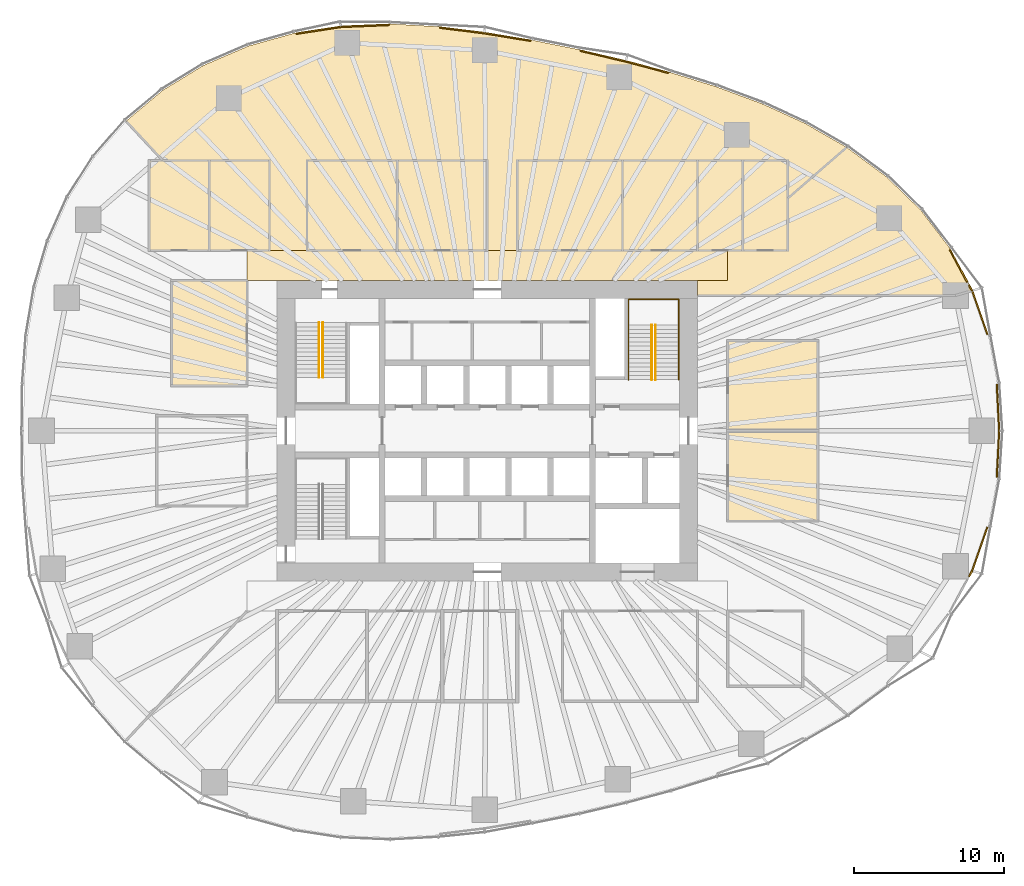
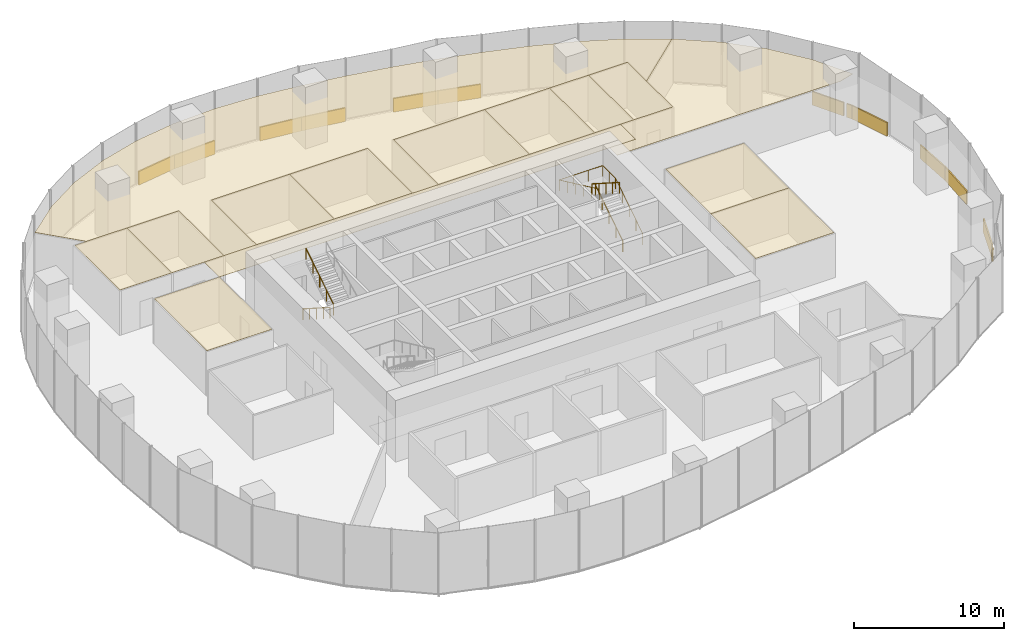
# One storey, part 19 of 19: 27 coverings, 5 railings.
"""IFC4 building model written with IfcOpenShell, lengths in metres."""

import ifcopenshell
import ifcopenshell.guid

model = None  # the IFC model being written
_history = None  # IfcOwnerHistory: only IFC2X3 demands one
_inside = {}  # id of a spatial element -> (the spatial element, [elements in it])
_under = {}  # id of a project, library or spatial element -> (it, [spatial elements below it])
_declared = {}  # id of a project -> (the project, [libraries it declares])
_typed = {}  # id of a type object -> (the type object, [elements of that type])
_made_of = {}  # id of a material, layer set ... -> (it, [elements and type objects made of it])


def new_model(schema):
    """Start an empty IFC model of exactly this schema.

    Asked for "IFC4X3", IfcOpenShell would pick the latest addendum, in which some entities
    have other attributes; the version numbers below select the first issue.
    IFC2X3 requires an IfcOwnerHistory on every rooted entity: one is made here for all.
    """
    global model, _history
    if schema == "IFC4X3":
        model = ifcopenshell.file(schema_version=(4, 3, 0, 0))
    else:
        model = ifcopenshell.file(schema=schema)
    _inside.clear()
    _under.clear()
    _declared.clear()
    _typed.clear()
    _made_of.clear()
    _history = None
    if model.schema == "IFC2X3":
        org = make("IfcOrganization", Name="unknown")
        user = make(
            "IfcPersonAndOrganization",
            ThePerson=make("IfcPerson", FamilyName="unknown"),
            TheOrganization=org,
        )
        app = make(
            "IfcApplication",
            ApplicationDeveloper=org,
            Version="unknown",
            ApplicationFullName="unknown",
            ApplicationIdentifier="unknown",
        )
        _history = make(
            "IfcOwnerHistory",
            OwningUser=user,
            OwningApplication=app,
            ChangeAction="ADDED",
            CreationDate=0,
        )
    return model


def make(cls, **values):
    """One entity of the class cls with the attributes given. An attribute that is None is left unset."""
    return model.create_entity(
        cls, **{name: value for name, value in values.items() if value is not None}
    )


def rooted(cls, **values):
    """An entity with a GlobalId (a new one), such as an element, a storey or a relation."""
    return make(cls, GlobalId=ifcopenshell.guid.new(), OwnerHistory=_history, **values)


def si_unit(unit_type, name, prefix=None):
    """IfcSIUnit, for example si_unit("LENGTHUNIT", "METRE", prefix="MILLI")."""
    return make("IfcSIUnit", UnitType=unit_type, Prefix=prefix, Name=name)


def assignment(units):
    """IfcUnitAssignment: the units of a project."""
    return None if units is None else make("IfcUnitAssignment", Units=units)


def point(xyz):
    """IfcCartesianPoint."""
    return None if xyz is None else make("IfcCartesianPoint", Coordinates=xyz)


def direction(xyz):
    """IfcDirection."""
    return None if xyz is None else make("IfcDirection", DirectionRatios=xyz)


def frame(location, z_axis=None, x_axis=None):
    """IfcAxis2Placement3D, a coordinate frame: its origin and axes. An axis left out is left unset."""
    return make(
        "IfcAxis2Placement3D",
        Location=point(location),
        Axis=direction(z_axis),
        RefDirection=direction(x_axis),
    )


def frame_2d(location, x_axis=None):
    """IfcAxis2Placement2D, a coordinate frame in the plane: its origin and x axis."""
    return make(
        "IfcAxis2Placement2D", Location=point(location), RefDirection=direction(x_axis)
    )


def origin():
    """The frame at (0, 0, 0) with its axes left unset."""
    return frame((0.0, 0.0, 0.0))


def origin_2d():
    """The frame at (0, 0) in the plane with its x axis left unset."""
    return frame_2d((0.0, 0.0))


def place(relative_to, where):
    """IfcLocalPlacement: puts the frame where relative to a parent placement (None: the world)."""
    return make(
        "IfcLocalPlacement", PlacementRelTo=relative_to, RelativePlacement=where
    )


def context(
    kind, dimensions, precision=None, world=None, true_north=None, identifier=None
):
    """IfcGeometricRepresentationContext, for example the 3D "Model" context."""
    return make(
        "IfcGeometricRepresentationContext",
        ContextIdentifier=identifier,
        ContextType=kind,
        CoordinateSpaceDimension=dimensions,
        Precision=precision,
        WorldCoordinateSystem=world,
        TrueNorth=true_north,
    )


def subcontext(parent, identifier, kind, view, scale=None):
    """IfcGeometricRepresentationSubContext, for example "Body" below "Model"."""
    return make(
        "IfcGeometricRepresentationSubContext",
        ContextIdentifier=identifier,
        ContextType=kind,
        ParentContext=parent,
        TargetScale=scale,
        TargetView=view,
    )


def project(units=None, contexts=None):
    """IfcProject with its units and contexts."""
    return rooted(
        "IfcProject",
        Name="project",
        RepresentationContexts=contexts,
        UnitsInContext=assignment(units),
    )


def spatial(cls, under=None, at=None, **own):
    """A site, building, storey or space (cls), placed at a placement, below another one or the project."""
    s = rooted(cls, ObjectPlacement=at, **own)
    if under is not None:
        _under.setdefault(under.id(), (under, []))[1].append(s)
    return s


def polyline(points):
    """IfcPolyline through the points."""
    return make("IfcPolyline", Points=[point(p) for p in points])


def profile(cls, at=None, kind="AREA", **sizes):
    """A parametric profile (cls). Its sizes go by their IFC names, for example OverallWidth=200.0."""
    return make(cls, ProfileType=kind, Position=at, **sizes)


def rectangle(**sizes):
    """IfcRectangleProfileDef."""
    return profile("IfcRectangleProfileDef", **sizes)


def circle(**sizes):
    """IfcCircleProfileDef."""
    return profile("IfcCircleProfileDef", **sizes)


def outline(outer, holes=None, kind="AREA"):
    """IfcArbitraryClosedProfileDef: a profile drawn as a closed curve; with holes, ...WithVoids."""
    if holes is None:
        return make("IfcArbitraryClosedProfileDef", ProfileType=kind, OuterCurve=outer)
    return make(
        "IfcArbitraryProfileDefWithVoids",
        ProfileType=kind,
        OuterCurve=outer,
        InnerCurves=holes,
    )


def extrude(swept, where, along, depth):
    """IfcExtrudedAreaSolid: the profile swept, set in the frame where, extruded along a direction by depth."""
    return make(
        "IfcExtrudedAreaSolid",
        SweptArea=swept,
        Position=where,
        ExtrudedDirection=direction(along),
        Depth=depth,
    )


def shape(context_of_items, identifier, shape_type, items):
    """IfcShapeRepresentation: the items that make up one representation, for example the "Body"."""
    return make(
        "IfcShapeRepresentation",
        ContextOfItems=context_of_items,
        RepresentationIdentifier=identifier,
        RepresentationType=shape_type,
        Items=items,
    )


def material(Name=None, Category=None):
    """IfcMaterial."""
    return make("IfcMaterial", Name=Name, Category=Category)


def layer(
    of_material, thickness, ventilated=None, Name=None, Category=None, Priority=None
):
    """IfcMaterialLayer: one layer of a wall or slab, of a material (None: an air gap)."""
    return make(
        "IfcMaterialLayer",
        Material=of_material,
        LayerThickness=thickness,
        IsVentilated=ventilated,
        Name=Name,
        Category=Category,
        Priority=Priority,
    )


def layer_set(layers, Name=None):
    """IfcMaterialLayerSet."""
    return make("IfcMaterialLayerSet", MaterialLayers=layers, LayerSetName=Name)


def made_of(thing, what):
    """Note that an element or type object is made of a material, layer set ...; save() writes the relation."""
    if what is not None:
        _made_of.setdefault(what.id(), (what, []))[1].append(thing)
    return thing


def type_object(cls, material=None, **own):
    """A type object (cls), such as IfcWallType, which elements share."""
    return made_of(rooted(cls, **own), material)


def element(
    cls,
    number,
    at=None,
    inside=None,
    cuts=None,
    type_object=None,
    material=None,
    context=None,
    identifier="Body",
    shape_type=None,
    held_by="IfcProductDefinitionShape",
    body=None,
    shapes=None,
    **own,
):
    """One element of the class cls, such as IfcWall. Its Tag is "e" and its number.

    at: its placement. inside: the storey or other place that contains it. cuts: it is an
    opening in that element (IfcRelVoidsElement). A single representation is given by context,
    identifier, shape_type and body (its items); several are given by shapes. held_by: the class
    of the entity that holds the representations. save() writes the other relations.
    """
    e = rooted(cls, Tag="e%d" % number, ObjectPlacement=at, **own)
    if body is not None:
        shapes = [shape(context, identifier, shape_type, body)]
    if shapes is not None:
        e.Representation = make(held_by, Representations=shapes)
    if inside is not None:
        _inside.setdefault(inside.id(), (inside, []))[1].append(e)
    if cuts is not None:
        rooted(
            "IfcRelVoidsElement", RelatingBuildingElement=cuts, RelatedOpeningElement=e
        )
    if type_object is not None:
        _typed.setdefault(type_object.id(), (type_object, []))[1].append(e)
    return made_of(e, material)


def aggregate(whole, parts):
    """IfcRelAggregates: a whole, such as a stair, and the parts it consists of."""
    return rooted("IfcRelAggregates", RelatingObject=whole, RelatedObjects=parts)


def save(model, path):
    """Write the relations noted so far, then the file.

    IfcRelAggregates (storeys below a building ...), IfcRelContainedInSpatialStructure (elements
    in a storey), IfcRelDefinesByType, IfcRelAssociatesMaterial and IfcRelDeclares: one each for
    every whole, place, type object, material and project.
    """
    for whole, parts in _under.values():
        aggregate(whole, parts)
    for where, things in _inside.values():
        rooted(
            "IfcRelContainedInSpatialStructure",
            RelatedElements=things,
            RelatingStructure=where,
        )
    for kind, things in _typed.values():
        rooted("IfcRelDefinesByType", RelatedObjects=things, RelatingType=kind)
    for what, things in _made_of.values():
        rooted("IfcRelAssociatesMaterial", RelatedObjects=things, RelatingMaterial=what)
    for by, libraries in _declared.values():
        rooted("IfcRelDeclares", RelatingContext=by, RelatedDefinitions=libraries)
    model.write(path)


model = new_model("IFC4")

# Units and contexts
model_context = context("Model", 3, precision=1e-05, world=origin(), true_north=direction((0.0, 1.0)))
body_context = subcontext(model_context, "Body", "Model", "MODEL_VIEW")
ifc_project = project(units=[si_unit("LENGTHUNIT", "METRE"), si_unit("AREAUNIT", "SQUARE_METRE"), si_unit("VOLUMEUNIT", "CUBIC_METRE"), si_unit("PLANEANGLEUNIT", "RADIAN"), si_unit("MASSUNIT", "GRAM", prefix="KILO")], contexts=[model_context])

# Site, building, storey
site_placement = place(None, origin())
site = spatial("IfcSite", under=ifc_project, at=site_placement, CompositionType="ELEMENT")
building_placement = place(site_placement, origin())
building = spatial("IfcBuilding", under=site, at=building_placement, Name="Ghaith Harvest Tower", CompositionType="ELEMENT")
storey_placement = place(building_placement, frame((0.0, 0.0, 75.0)))
storey = spatial("IfcBuildingStorey", under=building, at=storey_placement, Name="L15", CompositionType="ELEMENT", Elevation=75.0)

# Coverings
ifc_material_1 = material(Name="Mineral fibre ceiling tile", Category="gypsum")
ifc_layer_1 = layer(ifc_material_1, 0.02490234375)
ifc_layer_set_1 = layer_set([ifc_layer_1], Name="CEILING C2")
covering_type_1 = type_object("IfcCoveringType", Name="CEILING C2", PredefinedType="CEILING", material=ifc_layer_set_1)
covering_1_placement = place(storey_placement, frame((0.0, 0.0, 3.60009765625)))
element("IfcCovering", 1, at=covering_1_placement, inside=storey, type_object=covering_type_1, Name="Ceiling L15-01", PredefinedType="CEILING", context=body_context, shape_type="SweptSolid", body=[
    extrude(outline(polyline([(-12.0, 12.0), (-6.0, 12.0), (-6.0, 18.0), (-12.0, 18.0), (-12.0, 12.0)])), origin(), (0.0, 0.0, 1.0), 0.02490234375),
])
covering_2_placement = place(storey_placement, frame((0.0, 0.0, 3.60009765625)))
element("IfcCovering", 2, at=covering_2_placement, inside=storey, type_object=covering_type_1, Name="Ceiling L15-02", PredefinedType="CEILING", context=body_context, shape_type="SweptSolid", body=[
    extrude(outline(polyline([(-6.0, 12.0), (0.0, 12.0), (0.0, 18.0), (-6.0, 18.0), (-6.0, 12.0)])), origin(), (0.0, 0.0, 1.0), 0.02490234375),
])
covering_3_placement = place(storey_placement, frame((0.0, 0.0, 3.60009765625)))
element("IfcCovering", 3, at=covering_3_placement, inside=storey, type_object=covering_type_1, Name="Ceiling L15-08", PredefinedType="CEILING", context=body_context, shape_type="SweptSolid", body=[
    extrude(outline(polyline([(16.0, -6.0), (22.0, -6.0), (22.0, 0.0), (16.0, 0.0), (16.0, -6.0)])), origin(), (0.0, 0.0, 1.0), 0.02490234375),
])
covering_4_placement = place(storey_placement, frame((0.0, 0.0, 3.60009765625)))
element("IfcCovering", 4, at=covering_4_placement, inside=storey, type_object=covering_type_1, Name="Ceiling L15-09", PredefinedType="CEILING", context=body_context, shape_type="SweptSolid", body=[
    extrude(outline(polyline([(16.0, 0.0), (22.0, 0.0), (22.0, 6.0), (16.0, 6.0), (16.0, 0.0)])), origin(), (0.0, 0.0, 1.0), 0.02490234375),
])
covering_5_placement = place(storey_placement, frame((0.0, 0.0, 3.60009765625)))
element("IfcCovering", 5, at=covering_5_placement, inside=storey, type_object=covering_type_1, Name="Ceiling L15-10", PredefinedType="CEILING", context=body_context, shape_type="SweptSolid", body=[
    extrude(outline(polyline([(2.0, 12.0), (9.0, 12.0), (9.0, 18.0), (2.0, 18.0), (2.0, 12.0)])), origin(), (0.0, 0.0, 1.0), 0.02490234375),
])
covering_6_placement = place(storey_placement, frame((0.0, 0.0, 3.60009765625)))
element("IfcCovering", 6, at=covering_6_placement, inside=storey, type_object=covering_type_1, Name="Ceiling L15-11", PredefinedType="CEILING", context=body_context, shape_type="SweptSolid", body=[
    extrude(outline(polyline([(9.0, 12.0), (14.0, 12.0), (14.0, 18.0), (9.0, 18.0), (9.0, 12.0)])), origin(), (0.0, 0.0, 1.0), 0.02490234375),
])
covering_7_placement = place(storey_placement, frame((0.0, 0.0, 3.60009765625)))
element("IfcCovering", 7, at=covering_7_placement, inside=storey, type_object=covering_type_1, Name="Ceiling L15-12", PredefinedType="CEILING", context=body_context, shape_type="SweptSolid", body=[
    extrude(outline(polyline([(14.0, 12.0), (17.0, 12.0), (17.0, 18.0), (14.0, 18.0), (14.0, 12.0)])), origin(), (0.0, 0.0, 1.0), 0.02490234375),
])
covering_8_placement = place(storey_placement, frame((0.0, 0.0, 3.60009765625)))
element("IfcCovering", 8, at=covering_8_placement, inside=storey, type_object=covering_type_1, Name="Ceiling L15-13", PredefinedType="CEILING", context=body_context, shape_type="SweptSolid", body=[
    extrude(outline(polyline([(17.0, 12.0), (20.0, 12.0), (20.0, 18.0), (17.0, 18.0), (17.0, 12.0)])), origin(), (0.0, 0.0, 1.0), 0.02490234375),
])
covering_9_placement = place(storey_placement, frame((0.0, 0.0, 3.60009765625)))
element("IfcCovering", 9, at=covering_9_placement, inside=storey, type_object=covering_type_1, Name="Ceiling L15-14", PredefinedType="CEILING", context=body_context, shape_type="SweptSolid", body=[
    extrude(outline(polyline([(-22.5, 12.0), (-18.5, 12.0), (-18.5, 18.0), (-22.5, 18.0), (-22.5, 12.0)])), origin(), (0.0, 0.0, 1.0), 0.02490234375),
])
covering_10_placement = place(storey_placement, frame((0.0, 0.0, 3.60009765625)))
element("IfcCovering", 10, at=covering_10_placement, inside=storey, type_object=covering_type_1, Name="Ceiling L15-15", PredefinedType="CEILING", context=body_context, shape_type="SweptSolid", body=[
    extrude(outline(polyline([(-18.5, 12.0), (-14.5, 12.0), (-14.5, 18.0), (-18.5, 18.0), (-18.5, 12.0)])), origin(), (0.0, 0.0, 1.0), 0.02490234375),
])
covering_11_placement = place(storey_placement, frame((0.0, 0.0, 3.60009765625)))
element("IfcCovering", 11, at=covering_11_placement, inside=storey, type_object=covering_type_1, Name="Ceiling L15-17", PredefinedType="CEILING", context=body_context, shape_type="SweptSolid", body=[
    extrude(outline(polyline([(-21.0, 3.0), (-16.0, 3.0), (-16.0, 10.0), (-21.0, 10.0), (-21.0, 3.0)])), origin(), (0.0, 0.0, 1.0), 0.02490234375),
])
covering_12_placement = place(storey_placement, frame((0.0, 0.0, 3.60009765625)))
element("IfcCovering", 12, at=covering_12_placement, inside=storey, type_object=covering_type_1, Name="Ceiling L15-C1", PredefinedType="CEILING", context=body_context, shape_type="SweptSolid", body=[
    extrude(outline(polyline([(16.0, 10.0), (-16.0, 10.0), (-16.0, 12.0), (16.0, 12.0), (16.0, 10.0)])), origin(), (0.0, 0.0, 1.0), 0.02490234375),
])
covering_13_placement = place(storey_placement, frame((0.0, 0.0, 3.60009765625)))
element("IfcCovering", 13, at=covering_13_placement, inside=storey, type_object=covering_type_1, Name="Ceiling L15-N1", PredefinedType="CEILING", context=body_context, shape_type="SweptSolid", body=[
    extrude(outline(polyline([(-21.59912109375, 22.671142578125), (-18.8935546875, 24.32763671875), (-15.907958984375, 25.614501953125), (-12.828125, 26.476806640625), (-9.733642578125, 26.949951171875), (-6.4375, 27.0849609375), (-3.24755859375, 26.91064453125), (-0.181396484375, 26.527099609375), (2.99560546875, 26.004150390625), (6.10888671875, 25.378662109375), (9.21533203125, 24.65087890625), (12.1796875, 23.857666015625), (15.22119140625, 22.916259765625), (18.34521484375, 21.7548828125), (21.149169921875, 20.469482421875), (23.92431640625, 18.873046875), (20.0, 15.469482421875), (20.0, 18.0), (2.0, 18.0), (2.0, 12.0), (0.0, 12.0), (0.0, 18.0), (-12.0, 18.0), (-12.0, 12.0), (-14.5, 12.0), (-14.5, 18.0), (-21.60302734375, 18.0), (-24.04833984375, 20.618408203125), (-21.59912109375, 22.671142578125)])), origin(), (0.0, 0.0, 1.0), 0.02490234375),
])
covering_14_placement = place(storey_placement, frame((0.0, 0.0, 3.60009765625)))
element("IfcCovering", 14, at=covering_14_placement, inside=storey, type_object=covering_type_1, Name="Ceiling L15-E1", PredefinedType="CEILING", context=body_context, shape_type="SweptSolid", body=[
    extrude(outline(polyline([(26.572509765625, 16.9111328125), (28.840087890625, 14.708984375), (30.78515625, 12.1708984375), (32.318359375, 9.3408203125), (32.318359375, 9.3408203125), (31.166015625, 9.008056640625), (14.0, 9.008056640625), (14.0, 10.0), (16.0, 10.0), (16.0, 12.0), (20.0, 12.0), (20.0, 15.469482421875), (23.92431640625, 18.873046875), (26.572509765625, 16.9111328125)])), origin(), (0.0, 0.0, 1.0), 0.02490234375),
])

# Railings
ifc_material_2 = material(Name="Steel, black powder-coated", Category="steel")
railing_type = type_object("IfcRailingType", Name="HANDRAIL HR1", PredefinedType="HANDRAIL", material=ifc_material_2)
railing_1_placement = place(storey_placement, frame((-11.199951171875, 7.199951171875, 0.178466796875)))
element("IfcRailing", 15, at=railing_1_placement, inside=storey, type_object=railing_type, Name="Handrail HR1 stair ST1 L15 flight 1 inner", PredefinedType="HANDRAIL", context=body_context, shape_type="SweptSolid", body=[
    extrude(circle(Radius=0.02392578125, at=origin_2d()), frame((0.0, 0.0, 0.8759765625), z_axis=(0.0, -0.843111507901, 0.53773877045), x_axis=(1.0, 0.0, 0.0)), (0.0, 0.0, 1.0), 4.317138671875),
    extrude(circle(Radius=0.02099609375, at=origin_2d()), origin(), (0.0, 0.0, 1.0), 0.851806640625),
    extrude(circle(Radius=0.02099609375, at=origin_2d()), frame((0.0, -0.909912109375, 0.580322265625)), (0.0, 0.0, 1.0), 0.851806640625),
    extrude(circle(Radius=0.02099609375, at=origin_2d()), frame((0.0, -1.81982421875, 1.16064453125)), (0.0, 0.0, 1.0), 0.851806640625),
    extrude(circle(Radius=0.02099609375, at=origin_2d()), frame((0.0, -2.72998046875, 1.7412109375)), (0.0, 0.0, 1.0), 0.851806640625),
    extrude(circle(Radius=0.02099609375, at=origin_2d()), frame((0.0, -3.639892578125, 2.321533203125)), (0.0, 0.0, 1.0), 0.851806640625),
])
railing_2_placement = place(storey_placement, frame((-10.949951171875, 3.56005859375, 2.678466796875)))
element("IfcRailing", 16, at=railing_2_placement, inside=storey, type_object=railing_type, Name="Handrail HR1 stair ST1 L15 flight 2 inner", PredefinedType="HANDRAIL", context=body_context, shape_type="SweptSolid", body=[
    extrude(circle(Radius=0.02392578125, at=origin_2d()), frame((0.0, 0.0, 0.8759765625), z_axis=(0.0, 0.843111507901, 0.53773877045), x_axis=(-1.0, 0.0, 0.0)), (0.0, 0.0, 1.0), 4.317138671875),
    extrude(circle(Radius=0.02099609375, at=origin_2d()), origin(), (0.0, 0.0, 1.0), 0.851806640625),
    extrude(circle(Radius=0.02099609375, at=origin_2d()), frame((0.0, 0.909912109375, 0.580322265625)), (0.0, 0.0, 1.0), 0.851806640625),
    extrude(circle(Radius=0.02099609375, at=origin_2d()), frame((0.0, 1.81982421875, 1.16064453125)), (0.0, 0.0, 1.0), 0.851806640625),
    extrude(circle(Radius=0.02099609375, at=origin_2d()), frame((0.0, 2.72998046875, 1.7412109375)), (0.0, 0.0, 1.0), 0.851806640625),
    extrude(circle(Radius=0.02099609375, at=origin_2d()), frame((0.0, 3.639892578125, 2.321533203125)), (0.0, 0.0, 1.0), 0.851806640625),
])
railing_3_placement = place(storey_placement, frame((11.199951171875, 3.39990234375, 0.178466796875)))
element("IfcRailing", 17, at=railing_3_placement, inside=storey, type_object=railing_type, Name="Handrail HR1 stair ST2 L15 flight 1 inner", PredefinedType="HANDRAIL", context=body_context, shape_type="SweptSolid", body=[
    extrude(circle(Radius=0.02392578125, at=origin_2d()), frame((0.0, 0.0, 0.8759765625), z_axis=(0.0, 0.843127859045, 0.537713132908), x_axis=(-1.0, 0.0, 0.0)), (0.0, 0.0, 1.0), 4.3173828125),
    extrude(circle(Radius=0.02099609375, at=origin_2d()), origin(), (0.0, 0.0, 1.0), 0.851806640625),
    extrude(circle(Radius=0.02099609375, at=origin_2d()), frame((0.0, 0.91015625, 0.580322265625)), (0.0, 0.0, 1.0), 0.851806640625),
    extrude(circle(Radius=0.02099609375, at=origin_2d()), frame((0.0, 1.820068359375, 1.16064453125)), (0.0, 0.0, 1.0), 0.851806640625),
    extrude(circle(Radius=0.02099609375, at=origin_2d()), frame((0.0, 2.72998046875, 1.7412109375)), (0.0, 0.0, 1.0), 0.851806640625),
    extrude(circle(Radius=0.02099609375, at=origin_2d()), frame((0.0, 3.64013671875, 2.321533203125)), (0.0, 0.0, 1.0), 0.851806640625),
])
railing_4_placement = place(storey_placement, frame((10.949951171875, 7.0400390625, 2.678466796875)))
element("IfcRailing", 18, at=railing_4_placement, inside=storey, type_object=railing_type, Name="Handrail HR1 stair ST2 L15 flight 2 inner", PredefinedType="HANDRAIL", context=body_context, shape_type="SweptSolid", body=[
    extrude(circle(Radius=0.02392578125, at=origin_2d()), frame((0.0, 0.0, 0.8759765625), z_axis=(0.0, -0.843127859045, 0.537713132908), x_axis=(1.0, 0.0, 0.0)), (0.0, 0.0, 1.0), 4.3173828125),
    extrude(circle(Radius=0.02099609375, at=origin_2d()), origin(), (0.0, 0.0, 1.0), 0.851806640625),
    extrude(circle(Radius=0.02099609375, at=origin_2d()), frame((0.0, -0.91015625, 0.580322265625)), (0.0, 0.0, 1.0), 0.851806640625),
    extrude(circle(Radius=0.02099609375, at=origin_2d()), frame((0.0, -1.820068359375, 1.16064453125)), (0.0, 0.0, 1.0), 0.851806640625),
    extrude(circle(Radius=0.02099609375, at=origin_2d()), frame((0.0, -2.72998046875, 1.7412109375)), (0.0, 0.0, 1.0), 0.851806640625),
    extrude(circle(Radius=0.02099609375, at=origin_2d()), frame((0.0, -3.64013671875, 2.321533203125)), (0.0, 0.0, 1.0), 0.851806640625),
])
railing_5_placement = place(storey_placement, frame((12.75, 3.39990234375, 0.178466796875)))
element("IfcRailing", 19, at=railing_5_placement, inside=storey, type_object=railing_type, Name="Handrail HR1 stair ST2 L15 wall side", PredefinedType="HANDRAIL", context=body_context, shape_type="SweptSolid", body=[
    extrude(circle(Radius=0.02392578125, at=origin_2d()), frame((0.0, 0.0, 0.8759765625), z_axis=(0.0, 0.843127859045, 0.537713132908), x_axis=(-1.0, 0.0, 0.0)), (0.0, 0.0, 1.0), 4.3173828125),
    extrude(circle(Radius=0.02392578125, at=origin_2d()), frame((0.0, 3.64013671875, 3.197265625), z_axis=(0.0, 1.0, 0.0), x_axis=(-1.0, 0.0, 0.0)), (0.0, 0.0, 1.0), 1.7099609375),
    extrude(circle(Radius=0.02392578125, at=origin_2d()), frame((0.0, 5.35009765625, 3.197265625), z_axis=(-1.0, 0.0, 0.0), x_axis=(0.0, -1.0, 0.0)), (0.0, 0.0, 1.0), 3.35009765625),
    extrude(circle(Radius=0.02392578125, at=origin_2d()), frame((-3.35009765625, 5.35009765625, 3.197265625), z_axis=(0.0, -0.905969675553, 0.423342588193), x_axis=(1.0, 0.0, 0.0)), (0.0, 0.0, 1.0), 5.9052734375),
    extrude(circle(Radius=0.02099609375, at=origin_2d()), origin(), (0.0, 0.0, 1.0), 0.851806640625),
    extrude(circle(Radius=0.02099609375, at=origin_2d()), frame((0.0, 0.91015625, 0.580322265625)), (0.0, 0.0, 1.0), 0.851806640625),
    extrude(circle(Radius=0.02099609375, at=origin_2d()), frame((0.0, 1.820068359375, 1.16064453125)), (0.0, 0.0, 1.0), 0.851806640625),
    extrude(circle(Radius=0.02099609375, at=origin_2d()), frame((0.0, 2.72998046875, 1.7412109375)), (0.0, 0.0, 1.0), 0.851806640625),
    extrude(circle(Radius=0.02099609375, at=origin_2d()), frame((0.0, 3.64013671875, 2.321533203125)), (0.0, 0.0, 1.0), 0.851806640625),
    extrude(circle(Radius=0.02099609375, at=origin_2d()), frame((0.0, 4.4951171875, 2.321533203125)), (0.0, 0.0, 1.0), 0.851806640625),
    extrude(circle(Radius=0.02099609375, at=origin_2d()), frame((0.0, 5.35009765625, 2.321533203125)), (0.0, 0.0, 1.0), 0.851806640625),
    extrude(circle(Radius=0.02099609375, at=origin_2d()), frame((-1.11669921875, 5.35009765625, 2.321533203125)), (0.0, 0.0, 1.0), 0.851806640625),
    extrude(circle(Radius=0.02099609375, at=origin_2d()), frame((-2.2333984375, 5.35009765625, 2.321533203125)), (0.0, 0.0, 1.0), 0.851806640625),
    extrude(circle(Radius=0.02099609375, at=origin_2d()), frame((-3.35009765625, 5.35009765625, 2.321533203125)), (0.0, 0.0, 1.0), 0.851806640625),
    extrude(circle(Radius=0.02099609375, at=origin_2d()), frame((-3.35009765625, 4.280029296875, 2.821533203125)), (0.0, 0.0, 1.0), 0.851806640625),
    extrude(circle(Radius=0.02099609375, at=origin_2d()), frame((-3.35009765625, 3.2099609375, 3.321533203125)), (0.0, 0.0, 1.0), 0.851806640625),
    extrude(circle(Radius=0.02099609375, at=origin_2d()), frame((-3.35009765625, 2.14013671875, 3.821533203125)), (0.0, 0.0, 1.0), 0.851806640625),
    extrude(circle(Radius=0.02099609375, at=origin_2d()), frame((-3.35009765625, 1.070068359375, 4.321533203125)), (0.0, 0.0, 1.0), 0.851806640625),
    extrude(circle(Radius=0.02099609375, at=origin_2d()), frame((-3.35009765625, 0.0, 4.821533203125)), (0.0, 0.0, 1.0), 0.851806640625),
])

# Coverings
ifc_material_3 = material(Name="Insulated aluminium spandrel panel on steel framing", Category="steel")
ifc_layer_2 = layer(ifc_material_3, 0.10009765625)
ifc_layer_set_2 = layer_set([ifc_layer_2], Name="SLAB EDGE UPSTAND 1100x100")
covering_type_2 = type_object("IfcCoveringType", Name="SLAB EDGE UPSTAND 1100x100", PredefinedType="CLADDING", material=ifc_layer_set_2)
covering_15_placement = place(storey_placement, frame((33.994384765625, 1.54443359375, 0.0), z_axis=(0.0, 0.0, 1.0), x_axis=(-0.052048501689, 0.998644558125, 0.0)))
element("IfcCovering", 20, at=covering_15_placement, inside=storey, type_object=covering_type_2, Name="Slab edge upstand 1 bay 01 L15", PredefinedType="CLADDING", context=body_context, shape_type="SweptSolid", body=[
    extrude(rectangle(XDim=3.098388671875, YDim=0.10009765625, at=origin_2d()), origin(), (0.0, 0.0, 1.0), 1.10009765625),
])
covering_16_placement = place(storey_placement, frame((32.78125, 7.867919921875, 0.0), z_axis=(0.0, 0.0, 1.0), x_axis=(-0.330597697022, 0.943771774702, 0.0)))
element("IfcCovering", 21, at=covering_16_placement, inside=storey, type_object=covering_type_2, Name="Slab edge upstand 3 bay 01 L15", PredefinedType="CLADDING", context=body_context, shape_type="SweptSolid", body=[
    extrude(rectangle(XDim=3.0859375, YDim=0.10009765625, at=origin_2d()), origin(), (0.0, 0.0, 1.0), 1.10009765625),
])
covering_17_placement = place(storey_placement, frame((32.172119140625, 9.505615234375, 0.0), z_axis=(0.0, 0.0, 1.0), x_axis=(-0.476349292539, 0.87925613532, 0.0)))
element("IfcCovering", 22, at=covering_17_placement, inside=storey, type_object=covering_type_2, Name="Slab edge upstand 1 bay 02 L15", PredefinedType="CLADDING", context=body_context, shape_type="SweptSolid", body=[
    extrude(rectangle(XDim=0.42919921875, YDim=0.10009765625, at=origin_2d()), origin(), (0.0, 0.0, 1.0), 1.10009765625),
])
covering_18_placement = place(storey_placement, frame((31.3759765625, 10.9755859375, 0.0), z_axis=(0.0, 0.0, 1.0), x_axis=(-0.476349292539, 0.87925613532, 0.0)))
element("IfcCovering", 23, at=covering_18_placement, inside=storey, type_object=covering_type_2, Name="Slab edge upstand 1 bay 02 L15", PredefinedType="CLADDING", context=body_context, shape_type="SweptSolid", body=[
    extrude(rectangle(XDim=2.46484375, YDim=0.10009765625, at=origin_2d()), origin(), (0.0, 0.0, 1.0), 1.10009765625),
])
covering_19_placement = place(storey_placement, frame((10.63623046875, 24.218994140625, 0.0), z_axis=(0.0, 0.0, 1.0), x_axis=(-0.9660243418, 0.258451099919, 0.0)))
element("IfcCovering", 24, at=covering_19_placement, inside=storey, type_object=covering_type_2, Name="Slab edge upstand 3 bay 04 L15", PredefinedType="CLADDING", context=body_context, shape_type="SweptSolid", body=[
    extrude(rectangle(XDim=2.968505859375, YDim=0.10009765625, at=origin_2d()), origin(), (0.0, 0.0, 1.0), 1.10009765625),
])
covering_20_placement = place(storey_placement, frame((7.699462890625, 24.95458984375, 0.0), z_axis=(0.0, 0.0, 1.0), x_axis=(-0.973634089594, 0.228115452305, 0.0)))
element("IfcCovering", 25, at=covering_20_placement, inside=storey, type_object=covering_type_2, Name="Slab edge upstand 1 bay 05 L15", PredefinedType="CLADDING", context=body_context, shape_type="SweptSolid", body=[
    extrude(rectangle(XDim=3.090576171875, YDim=0.10009765625, at=origin_2d()), origin(), (0.0, 0.0, 1.0), 1.10009765625),
])
covering_21_placement = place(storey_placement, frame((1.349609375, 26.224365234375, 0.0), z_axis=(0.0, 0.0, 1.0), x_axis=(-0.986716247541, 0.162453214305, 0.0)))
element("IfcCovering", 26, at=covering_21_placement, inside=storey, type_object=covering_type_2, Name="Slab edge upstand 3 bay 05 L15", PredefinedType="CLADDING", context=body_context, shape_type="SweptSolid", body=[
    extrude(rectangle(XDim=3.119873046875, YDim=0.10009765625, at=origin_2d()), origin(), (0.0, 0.0, 1.0), 1.10009765625),
])
covering_22_placement = place(storey_placement, frame((-1.671142578125, 26.6630859375, 0.0), z_axis=(0.0, 0.0, 1.0), x_axis=(-0.99226486887, 0.124138753038, 0.0)))
element("IfcCovering", 27, at=covering_22_placement, inside=storey, type_object=covering_type_2, Name="Slab edge upstand 1 bay 06 L15", PredefinedType="CLADDING", context=body_context, shape_type="SweptSolid", body=[
    extrude(rectangle(XDim=2.98974609375, YDim=0.10009765625, at=origin_2d()), origin(), (0.0, 0.0, 1.0), 1.10009765625),
])
covering_23_placement = place(storey_placement, frame((-8.133544921875, 26.965576171875, 0.0), z_axis=(0.0, 0.0, 1.0), x_axis=(-0.999160890982, -0.040957464901, 0.0)))
element("IfcCovering", 28, at=covering_23_placement, inside=storey, type_object=covering_type_2, Name="Slab edge upstand 3 bay 06 L15", PredefinedType="CLADDING", context=body_context, shape_type="SweptSolid", body=[
    extrude(rectangle(XDim=3.198974609375, YDim=0.10009765625, at=origin_2d()), origin(), (0.0, 0.0, 1.0), 1.10009765625),
])
covering_24_placement = place(storey_placement, frame((-11.22412109375, 26.67138671875, 0.0), z_axis=(0.0, 0.0, 1.0), x_axis=(-0.988517924816, -0.1511036476, 0.0)))
element("IfcCovering", 29, at=covering_24_placement, inside=storey, type_object=covering_type_2, Name="Slab edge upstand 1 bay 07 L15", PredefinedType="CLADDING", context=body_context, shape_type="SweptSolid", body=[
    extrude(rectangle(XDim=3.030517578125, YDim=0.10009765625, at=origin_2d()), origin(), (0.0, 0.0, 1.0), 1.10009765625),
])
covering_25_placement = place(storey_placement, frame((32.172119140625, -9.505615234375, 0.0), z_axis=(0.0, 0.0, 1.0), x_axis=(0.4763492928, 0.879256135178, 0.0)))
element("IfcCovering", 30, at=covering_25_placement, inside=storey, type_object=covering_type_2, Name="Slab edge upstand 3 bay 19 L15", PredefinedType="CLADDING", context=body_context, shape_type="SweptSolid", body=[
    extrude(rectangle(XDim=0.42919921875, YDim=0.10009765625, at=origin_2d()), origin(), (0.0, 0.0, 1.0), 1.10009765625),
])
covering_26_placement = place(storey_placement, frame((32.78125, -7.867919921875, 0.0), z_axis=(0.0, 0.0, 1.0), x_axis=(0.330597697302, 0.943771774604, 0.0)))
element("IfcCovering", 31, at=covering_26_placement, inside=storey, type_object=covering_type_2, Name="Slab edge upstand 1 bay 20 L15", PredefinedType="CLADDING", context=body_context, shape_type="SweptSolid", body=[
    extrude(rectangle(XDim=3.0859375, YDim=0.10009765625, at=origin_2d()), origin(), (0.0, 0.0, 1.0), 1.10009765625),
])
covering_27_placement = place(storey_placement, frame((33.994384765625, -1.54443359375, 0.0), z_axis=(0.0, 0.0, 1.0), x_axis=(0.052048501794, 0.998644558119, 0.0)))
element("IfcCovering", 32, at=covering_27_placement, inside=storey, type_object=covering_type_2, Name="Slab edge upstand 3 bay 20 L15", PredefinedType="CLADDING", context=body_context, shape_type="SweptSolid", body=[
    extrude(rectangle(XDim=3.098388671875, YDim=0.10009765625, at=origin_2d()), origin(), (0.0, 0.0, 1.0), 1.10009765625),
])

save(model, "model.ifc")
